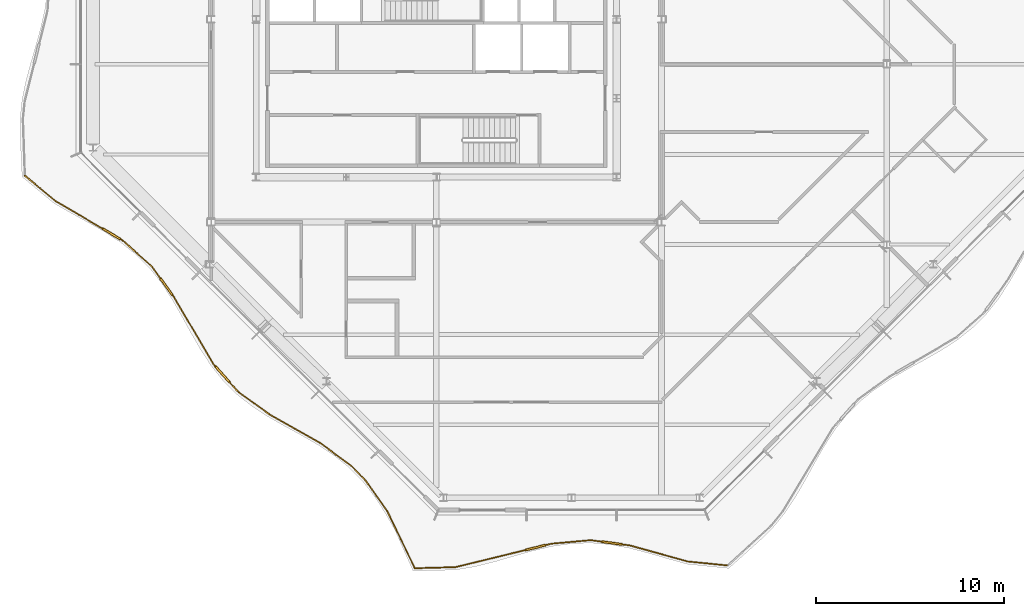
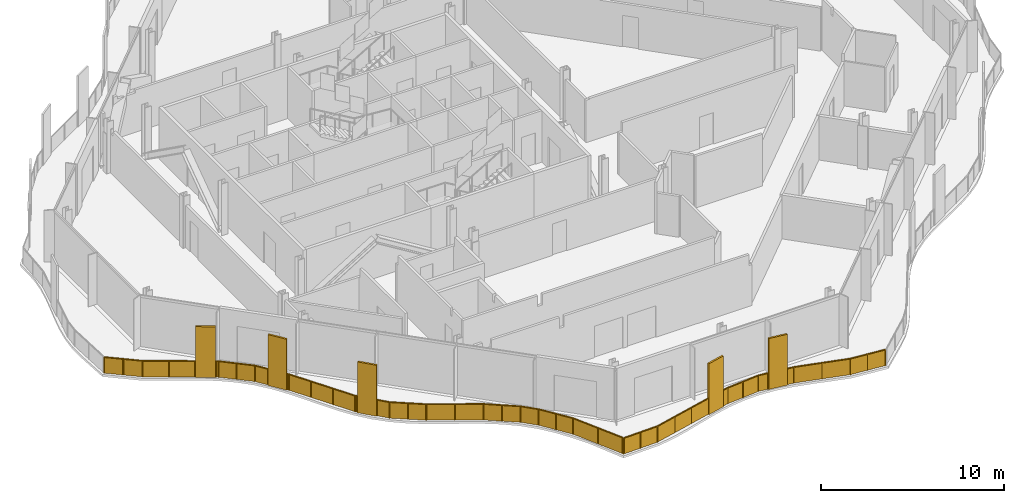
# One storey, part 12 of 16: 2 railings.
"""IFC4 building model written with IfcOpenShell, lengths in metres."""

from ifc_helpers import new_model, si_unit, direction, frame, origin, origin_2d, place, context, subcontext, project, spatial, polyline, rectangle, outline, extrude, material, type_object, element, save


model = new_model("IFC4")

# Units and contexts
model_context = context("Model", 3, precision=1e-05, world=origin(), true_north=direction((0.0, 1.0)))
body_context = subcontext(model_context, "Body", "Model", "MODEL_VIEW")
ifc_project = project(units=[si_unit("LENGTHUNIT", "METRE"), si_unit("AREAUNIT", "SQUARE_METRE"), si_unit("VOLUMEUNIT", "CUBIC_METRE"), si_unit("PLANEANGLEUNIT", "RADIAN"), si_unit("MASSUNIT", "GRAM", prefix="KILO")], contexts=[model_context])

# Site, building, storey
site_placement = place(None, origin())
site = spatial("IfcSite", under=ifc_project, at=site_placement, CompositionType="ELEMENT")
building_placement = place(site_placement, origin())
building = spatial("IfcBuilding", under=site, at=building_placement, Name="Cairn Pilgrim Tower", CompositionType="ELEMENT")
storey_placement = place(building_placement, frame((0.0, 0.0, 288.60009765625)))
storey = spatial("IfcBuildingStorey", under=building, at=storey_placement, Name="L74", CompositionType="ELEMENT", Elevation=288.60009765625)

# Railings
ifc_material = material(Name="Bronze anodised aluminium rail, posts and fin screens with laminated glass infill", Category="aluminium")
railing_type = type_object("IfcRailingType", Name="BALCONY GUARD WITH FIN SCREENS", PredefinedType="GUARDRAIL", material=ifc_material)
railing_1_placement = place(storey_placement, frame((6.050537109375, -26.847412109375, 0.0)))
element("IfcRailing", 1, at=railing_1_placement, inside=storey, type_object=railing_type, Name="Balcony guard BGF-1 with fin screens", PredefinedType="GUARDRAIL", context=body_context, shape_type="SweptSolid", body=[
    extrude(rectangle(XDim=0.050048828125, YDim=0.050048828125, at=origin_2d()), frame((0.0, 0.0, 1.0751953125), z_axis=(0.99964676047, 0.026577326475, 0.0), x_axis=(-0.026577326475, 0.99964676047, 0.0)), (0.0, 0.0, 1.0), 2.15869140625),
    extrude(rectangle(XDim=1.10009765625, YDim=0.110107421875, at=origin_2d()), frame((6.4365234375, 1.100830078125, 0.0), z_axis=(0.0, 0.0, 1.0), x_axis=(0.971524744658, 0.236938115376, 0.0)), (0.0, 0.0, 1.0), 3.39990234375),
    extrude(rectangle(XDim=0.050048828125, YDim=0.050048828125, at=origin_2d()), frame((2.157958984375, 0.057373046875, 1.0751953125), z_axis=(0.971524744658, 0.236938115376, 0.0), x_axis=(-0.236938115376, 0.971524744658, 0.0)), (0.0, 0.0, 1.0), 3.85400390625),
    extrude(rectangle(XDim=0.050048828125, YDim=0.050048828125, at=origin_2d()), frame((6.970947265625, 1.231201171875, 1.0751953125), z_axis=(0.971524744658, 0.236938115376, 0.0), x_axis=(-0.236938115376, 0.971524744658, 0.0)), (0.0, 0.0, 1.0), 0.3349609375),
    extrude(rectangle(XDim=0.050048828125, YDim=0.050048828125, at=origin_2d()), frame((7.29638671875, 1.310546875, 1.0751953125), z_axis=(0.996095236067, 0.088285223475, 0.0), x_axis=(-0.088285223475, 0.996095236067, 0.0)), (0.0, 0.0, 1.0), 2.09326171875),
    extrude(rectangle(XDim=1.10009765625, YDim=0.110107421875, at=origin_2d()), frame((10.51123046875, 1.342041015625, 0.0), z_axis=(0.0, 0.0, 1.0), x_axis=(0.990905606888, -0.134558828164, 0.0)), (0.0, 0.0, 1.0), 3.39990234375),
    extrude(rectangle(XDim=0.050048828125, YDim=0.050048828125, at=origin_2d()), frame((9.381591796875, 1.495361328125, 1.0751953125), z_axis=(0.990905606888, -0.134558828164, 0.0), x_axis=(0.134558828164, 0.990905606888, 0.0)), (0.0, 0.0, 1.0), 0.58984375),
    extrude(rectangle(XDim=0.050048828125, YDim=0.050048828125, at=origin_2d()), frame((11.05615234375, 1.26806640625, 1.0751953125), z_axis=(0.990905606888, -0.134558828164, 0.0), x_axis=(0.134558828164, 0.990905606888, 0.0)), (0.0, 0.0, 1.0), 0.412841796875),
    extrude(rectangle(XDim=0.050048828125, YDim=0.050048828125, at=origin_2d()), frame((11.46533203125, 1.21240234375, 1.0751953125), z_axis=(0.963892021314, -0.266293393172, 0.0), x_axis=(0.266293393172, 0.963892021314, 0.0)), (0.0, 0.0, 1.0), 3.19873046875),
    extrude(rectangle(XDim=0.050048828125, YDim=0.050048828125, at=origin_2d()), frame((14.548583984375, 0.360595703125, 1.0751953125), z_axis=(0.995001149631, -0.099863467957, 0.0), x_axis=(0.099863467957, 0.995001149631, 0.0)), (0.0, 0.0, 1.0), 2.0830078125),
    extrude(rectangle(XDim=0.050048828125, YDim=0.050048828125, at=origin_2d()), origin(), (0.0, 0.0, 1.0), 1.050048828125),
    extrude(rectangle(XDim=0.050048828125, YDim=0.050048828125, at=origin_2d()), frame((1.0791015625, 0.02880859375, 0.0)), (0.0, 0.0, 1.0), 1.050048828125),
    extrude(rectangle(XDim=0.050048828125, YDim=0.050048828125, at=origin_2d()), frame((2.157958984375, 0.057373046875, 0.0)), (0.0, 0.0, 1.0), 1.050048828125),
    extrude(rectangle(XDim=0.050048828125, YDim=0.050048828125, at=origin_2d()), frame((3.39794921875, 0.35986328125, 0.0)), (0.0, 0.0, 1.0), 1.050048828125),
    extrude(rectangle(XDim=0.050048828125, YDim=0.050048828125, at=origin_2d()), frame((4.637939453125, 0.662109375, 0.0)), (0.0, 0.0, 1.0), 1.050048828125),
    extrude(rectangle(XDim=0.050048828125, YDim=0.050048828125, at=origin_2d()), frame((5.8779296875, 0.964599609375, 0.0)), (0.0, 0.0, 1.0), 1.050048828125),
    extrude(rectangle(XDim=0.050048828125, YDim=0.050048828125, at=origin_2d()), frame((6.9951171875, 1.237060546875, 0.0)), (0.0, 0.0, 1.0), 1.050048828125),
    extrude(rectangle(XDim=0.050048828125, YDim=0.050048828125, at=origin_2d()), frame((7.29638671875, 1.310546875, 0.0)), (0.0, 0.0, 1.0), 1.050048828125),
    extrude(rectangle(XDim=0.050048828125, YDim=0.050048828125, at=origin_2d()), frame((8.3388671875, 1.40283203125, 0.0)), (0.0, 0.0, 1.0), 1.050048828125),
    extrude(rectangle(XDim=0.050048828125, YDim=0.050048828125, at=origin_2d()), frame((9.381591796875, 1.495361328125, 0.0)), (0.0, 0.0, 1.0), 1.050048828125),
    extrude(rectangle(XDim=0.050048828125, YDim=0.050048828125, at=origin_2d()), frame((9.94140625, 1.41943359375, 0.0)), (0.0, 0.0, 1.0), 1.050048828125),
    extrude(rectangle(XDim=0.050048828125, YDim=0.050048828125, at=origin_2d()), frame((11.0810546875, 1.2646484375, 0.0)), (0.0, 0.0, 1.0), 1.050048828125),
    extrude(rectangle(XDim=0.050048828125, YDim=0.050048828125, at=origin_2d()), frame((11.46533203125, 1.21240234375, 0.0)), (0.0, 0.0, 1.0), 1.050048828125),
    extrude(rectangle(XDim=0.050048828125, YDim=0.050048828125, at=origin_2d()), frame((13.0068359375, 0.78662109375, 0.0)), (0.0, 0.0, 1.0), 1.050048828125),
    extrude(rectangle(XDim=0.050048828125, YDim=0.050048828125, at=origin_2d()), frame((14.548583984375, 0.360595703125, 0.0)), (0.0, 0.0, 1.0), 1.050048828125),
    extrude(rectangle(XDim=0.050048828125, YDim=0.050048828125, at=origin_2d()), frame((15.5849609375, 0.256591796875, 0.0)), (0.0, 0.0, 1.0), 1.050048828125),
    extrude(rectangle(XDim=0.050048828125, YDim=0.050048828125, at=origin_2d()), frame((16.62109375, 0.152587890625, 0.0)), (0.0, 0.0, 1.0), 1.050048828125),
    extrude(outline(polyline([(0.02490234375, 0.0), (1.054443359375, 0.0), (1.054443359375, 1.050048828125), (0.02490234375, 1.050048828125), (0.02490234375, 0.0)])), frame((-0.000244140625, 0.005859375, 0.0), z_axis=(0.026577326475, -0.99964676047, 0.0), x_axis=(0.99964676047, 0.026577326475, 0.0)), (0.0, 0.0, 1.0), 0.011962890625),
    extrude(outline(polyline([(0.02490234375, 0.0), (1.054443359375, 0.0), (1.054443359375, 1.050048828125), (0.02490234375, 1.050048828125), (0.02490234375, 0.0)])), frame((1.078857421875, 0.03466796875, 0.0), z_axis=(0.026577326475, -0.99964676047, 0.0), x_axis=(0.99964676047, 0.026577326475, 0.0)), (0.0, 0.0, 1.0), 0.011962890625),
    extrude(outline(polyline([(0.02490234375, 0.0), (1.251220703125, 0.0), (1.251220703125, 1.050048828125), (0.02490234375, 1.050048828125), (0.02490234375, 0.0)])), frame((2.156494140625, 0.063232421875, 0.0), z_axis=(0.236938115376, -0.971524744658, 0.0), x_axis=(0.971524744658, 0.236938115376, 0.0)), (0.0, 0.0, 1.0), 0.011962890625),
    extrude(outline(polyline([(0.02490234375, 0.0), (1.251220703125, 0.0), (1.251220703125, 1.050048828125), (0.02490234375, 1.050048828125), (0.02490234375, 0.0)])), frame((3.396484375, 0.365478515625, 0.0), z_axis=(0.236938115376, -0.971524744658, 0.0), x_axis=(0.971524744658, 0.236938115376, 0.0)), (0.0, 0.0, 1.0), 0.011962890625),
    extrude(outline(polyline([(0.02490234375, 0.0), (1.251220703125, 0.0), (1.251220703125, 1.050048828125), (0.02490234375, 1.050048828125), (0.02490234375, 0.0)])), frame((4.636474609375, 0.66796875, 0.0), z_axis=(0.236938115376, -0.971524744658, 0.0), x_axis=(0.971524744658, 0.236938115376, 0.0)), (0.0, 0.0, 1.0), 0.011962890625),
    extrude(outline(polyline([(0.02490234375, 0.0), (0.284912109375, 0.0), (0.284912109375, 1.050048828125), (0.02490234375, 1.050048828125), (0.02490234375, 0.0)])), frame((6.99365234375, 1.242919921875, 0.0), z_axis=(0.236938115376, -0.971524744658, 0.0), x_axis=(0.971524744658, 0.236938115376, 0.0)), (0.0, 0.0, 1.0), 0.011962890625),
    extrude(outline(polyline([(0.02490234375, 0.0), (1.021728515625, 0.0), (1.021728515625, 1.050048828125), (0.02490234375, 1.050048828125), (0.02490234375, 0.0)])), frame((7.2958984375, 1.31640625, 0.0), z_axis=(0.088285223475, -0.996095236067, 0.0), x_axis=(0.996095236067, 0.088285223475, 0.0)), (0.0, 0.0, 1.0), 0.011962890625),
    extrude(outline(polyline([(0.02490234375, 0.0), (1.021728515625, 0.0), (1.021728515625, 1.050048828125), (0.02490234375, 1.050048828125), (0.02490234375, 0.0)])), frame((8.33837890625, 1.408935546875, 0.0), z_axis=(0.088285223475, -0.996095236067, 0.0), x_axis=(0.996095236067, 0.088285223475, 0.0)), (0.0, 0.0, 1.0), 0.011962890625),
    extrude(outline(polyline([(0.02490234375, 0.0), (0.539794921875, 0.0), (0.539794921875, 1.050048828125), (0.02490234375, 1.050048828125), (0.02490234375, 0.0)])), frame((9.38232421875, 1.501220703125, 0.0), z_axis=(-0.134558828164, -0.990905606888, 0.0), x_axis=(0.990905606888, -0.134558828164, 0.0)), (0.0, 0.0, 1.0), 0.011962890625),
    extrude(outline(polyline([(0.02490234375, 0.0), (0.36279296875, 0.0), (0.36279296875, 1.050048828125), (0.02490234375, 1.050048828125), (0.02490234375, 0.0)])), frame((11.081787109375, 1.2705078125, 0.0), z_axis=(-0.134558828164, -0.990905606888, 0.0), x_axis=(0.990905606888, -0.134558828164, 0.0)), (0.0, 0.0, 1.0), 0.011962890625),
    extrude(outline(polyline([(0.02490234375, 0.0), (1.574462890625, 0.0), (1.574462890625, 1.050048828125), (0.02490234375, 1.050048828125), (0.02490234375, 0.0)])), frame((11.467041015625, 1.21826171875, 0.0), z_axis=(-0.266293393172, -0.963892021314, 0.0), x_axis=(0.963892021314, -0.266293393172, 0.0)), (0.0, 0.0, 1.0), 0.011962890625),
    extrude(outline(polyline([(0.02490234375, 0.0), (1.574462890625, 0.0), (1.574462890625, 1.050048828125), (0.02490234375, 1.050048828125), (0.02490234375, 0.0)])), frame((13.008544921875, 0.792236328125, 0.0), z_axis=(-0.266293393172, -0.963892021314, 0.0), x_axis=(0.963892021314, -0.266293393172, 0.0)), (0.0, 0.0, 1.0), 0.011962890625),
    extrude(outline(polyline([(0.02490234375, 0.0), (1.016357421875, 0.0), (1.016357421875, 1.050048828125), (0.02490234375, 1.050048828125), (0.02490234375, 0.0)])), frame((14.549072265625, 0.366455078125, 0.0), z_axis=(-0.099863467957, -0.995001149631, 0.0), x_axis=(0.995001149631, -0.099863467957, 0.0)), (0.0, 0.0, 1.0), 0.011962890625),
    extrude(outline(polyline([(0.02490234375, 0.0), (1.016357421875, 0.0), (1.016357421875, 1.050048828125), (0.02490234375, 1.050048828125), (0.02490234375, 0.0)])), frame((15.58544921875, 0.262451171875, 0.0), z_axis=(-0.099863467957, -0.995001149631, 0.0), x_axis=(0.995001149631, -0.099863467957, 0.0)), (0.0, 0.0, 1.0), 0.011962890625),
])
railing_2_placement = place(storey_placement, frame((-14.732666015625, -5.920654296875, 0.0)))
element("IfcRailing", 2, at=railing_2_placement, inside=storey, type_object=railing_type, Name="Balcony guard BGF-8 with fin screens", PredefinedType="GUARDRAIL", context=body_context, shape_type="SweptSolid", body=[
    extrude(rectangle(XDim=0.050048828125, YDim=0.050048828125, at=origin_2d()), frame((0.0, 0.0, 1.0751953125), z_axis=(0.769657615811, -0.638456854004, 0.0), x_axis=(0.638456854004, 0.769657615811, 0.0)), (0.0, 0.0, 1.0), 2.128662109375),
    extrude(rectangle(XDim=1.10009765625, YDim=0.110107421875, at=origin_2d()), frame((4.621826171875, -3.1103515625, 0.0), z_axis=(0.0, 0.0, 1.0), x_axis=(0.862404642163, -0.506219550369, 0.0)), (0.0, 0.0, 1.0), 3.39990234375),
    extrude(rectangle(XDim=0.050048828125, YDim=0.050048828125, at=origin_2d()), frame((1.638427734375, -1.359130859375, 1.0751953125), z_axis=(0.862404642163, -0.506219550369, 0.0), x_axis=(0.506219550369, 0.862404642163, 0.0)), (0.0, 0.0, 1.0), 2.909423828125),
    extrude(rectangle(XDim=0.050048828125, YDim=0.050048828125, at=origin_2d()), frame((5.09619140625, -3.388671875, 1.0751953125), z_axis=(0.862404642163, -0.506219550369, 0.0), x_axis=(0.506219550369, 0.862404642163, 0.0)), (0.0, 0.0, 1.0), 0.14990234375),
    extrude(rectangle(XDim=0.050048828125, YDim=0.050048828125, at=origin_2d()), frame((5.225341796875, -3.464599609375, 1.0751953125), z_axis=(0.746064687265, -0.665873473279, 0.0), x_axis=(0.665873473279, 0.746064687265, 0.0)), (0.0, 0.0, 1.0), 2.0458984375),
    extrude(rectangle(XDim=1.10009765625, YDim=0.110107421875, at=origin_2d()), frame((7.549560546875, -5.928466796875, 0.0), z_axis=(0.0, 0.0, 1.0), x_axis=(0.586662617437, -0.809831447464, 0.0)), (0.0, 0.0, 1.0), 3.39990234375),
    extrude(rectangle(XDim=0.050048828125, YDim=0.050048828125, at=origin_2d()), frame((6.751708984375, -4.826904296875, 1.0751953125), z_axis=(0.586662617437, -0.809831447464, 0.0), x_axis=(0.809831447464, 0.586662617437, 0.0)), (0.0, 0.0, 1.0), 0.81005859375),
    extrude(rectangle(XDim=0.050048828125, YDim=0.050048828125, at=origin_2d()), frame((7.872314453125, -6.373779296875, 1.0751953125), z_axis=(0.586662617437, -0.809831447464, 0.0), x_axis=(0.809831447464, 0.586662617437, 0.0)), (0.0, 0.0, 1.0), 0.14990234375),
    extrude(rectangle(XDim=0.050048828125, YDim=0.050048828125, at=origin_2d()), frame((7.960205078125, -6.4951171875, 1.0751953125), z_axis=(0.506971251307, -0.861962963443, 0.0), x_axis=(0.861962963443, 0.506971251307, 0.0)), (0.0, 0.0, 1.0), 4.147705078125),
    extrude(rectangle(XDim=1.10009765625, YDim=0.110107421875, at=origin_2d()), frame((10.53173828125, -10.59033203125, 0.0), z_axis=(0.0, 0.0, 1.0), x_axis=(0.669590357425, -0.742730606103, 0.0)), (0.0, 0.0, 1.0), 3.39990234375),
    extrude(rectangle(XDim=0.050048828125, YDim=0.050048828125, at=origin_2d()), frame((10.06298828125, -10.0703125, 1.0751953125), z_axis=(0.669590357425, -0.742730606103, 0.0), x_axis=(0.742730606103, 0.669590357425, 0.0)), (0.0, 0.0, 1.0), 0.150146484375),
    extrude(rectangle(XDim=0.050048828125, YDim=0.050048828125, at=origin_2d()), frame((10.89990234375, -10.998779296875, 1.0751953125), z_axis=(0.669590357425, -0.742730606103, 0.0), x_axis=(0.742730606103, 0.669590357425, 0.0)), (0.0, 0.0, 1.0), 0.732666015625),
    extrude(rectangle(XDim=0.050048828125, YDim=0.050048828125, at=origin_2d()), frame((11.390625, -11.54296875, 1.0751953125), z_axis=(0.812223584103, -0.583346251747, 0.0), x_axis=(0.583346251747, 0.812223584103, 0.0)), (0.0, 0.0, 1.0), 2.013916015625),
    extrude(rectangle(XDim=0.050048828125, YDim=0.050048828125, at=origin_2d()), frame((13.0263671875, -12.7177734375, 1.0751953125), z_axis=(0.870436497443, -0.492280716582, 0.0), x_axis=(0.492280716582, 0.870436497443, 0.0)), (0.0, 0.0, 1.0), 3.1318359375),
    extrude(rectangle(XDim=0.050048828125, YDim=0.050048828125, at=origin_2d()), frame((15.75244140625, -14.259521484375, 1.0751953125), z_axis=(0.805425872016, -0.592696519888, 0.0), x_axis=(0.592696519888, 0.805425872016, 0.0)), (0.0, 0.0, 1.0), 2.055419921875),
    extrude(rectangle(XDim=0.050048828125, YDim=0.050048828125, at=origin_2d()), frame((17.407958984375, -15.477783203125, 1.0751953125), z_axis=(0.700078521707, -0.714065867721, 0.0), x_axis=(0.714065867721, 0.700078521707, 0.0)), (0.0, 0.0, 1.0), 1.02978515625),
    extrude(rectangle(XDim=0.050048828125, YDim=0.050048828125, at=origin_2d()), frame((18.12890625, -16.213134765625, 1.0751953125), z_axis=(0.580040389042, -0.814587716014, 0.0), x_axis=(0.814587716014, 0.580040389042, 0.0)), (0.0, 0.0, 1.0), 2.064208984375),
    extrude(rectangle(XDim=0.050048828125, YDim=0.050048828125, at=origin_2d()), frame((19.326171875, -17.89453125, 1.0751953125), z_axis=(0.433060125743, -0.901365035649, 0.0), x_axis=(0.901365035649, 0.433060125743, 0.0)), (0.0, 0.0, 1.0), 3.30419921875),
    extrude(rectangle(XDim=0.050048828125, YDim=0.050048828125, at=origin_2d()), origin(), (0.0, 0.0, 1.0), 1.050048828125),
    extrude(rectangle(XDim=0.050048828125, YDim=0.050048828125, at=origin_2d()), frame((0.8193359375, -0.6796875, 0.0)), (0.0, 0.0, 1.0), 1.050048828125),
    extrude(rectangle(XDim=0.050048828125, YDim=0.050048828125, at=origin_2d()), frame((1.638427734375, -1.359130859375, 0.0)), (0.0, 0.0, 1.0), 1.050048828125),
    extrude(rectangle(XDim=0.050048828125, YDim=0.050048828125, at=origin_2d()), frame((2.882080078125, -2.089111328125, 0.0)), (0.0, 0.0, 1.0), 1.050048828125),
    extrude(rectangle(XDim=0.050048828125, YDim=0.050048828125, at=origin_2d()), frame((4.1259765625, -2.8193359375, 0.0)), (0.0, 0.0, 1.0), 1.050048828125),
    extrude(rectangle(XDim=0.050048828125, YDim=0.050048828125, at=origin_2d()), frame((5.11767578125, -3.4013671875, 0.0)), (0.0, 0.0, 1.0), 1.050048828125),
    extrude(rectangle(XDim=0.050048828125, YDim=0.050048828125, at=origin_2d()), frame((5.225341796875, -3.464599609375, 0.0)), (0.0, 0.0, 1.0), 1.050048828125),
    extrude(rectangle(XDim=0.050048828125, YDim=0.050048828125, at=origin_2d()), frame((5.988525390625, -4.145751953125, 0.0)), (0.0, 0.0, 1.0), 1.050048828125),
    extrude(rectangle(XDim=0.050048828125, YDim=0.050048828125, at=origin_2d()), frame((6.751708984375, -4.826904296875, 0.0)), (0.0, 0.0, 1.0), 1.050048828125),
    extrude(rectangle(XDim=0.050048828125, YDim=0.050048828125, at=origin_2d()), frame((7.21240234375, -5.462646484375, 0.0)), (0.0, 0.0, 1.0), 1.050048828125),
    extrude(rectangle(XDim=0.050048828125, YDim=0.050048828125, at=origin_2d()), frame((7.886962890625, -6.39404296875, 0.0)), (0.0, 0.0, 1.0), 1.050048828125),
    extrude(rectangle(XDim=0.050048828125, YDim=0.050048828125, at=origin_2d()), frame((7.960205078125, -6.4951171875, 0.0)), (0.0, 0.0, 1.0), 1.050048828125),
    extrude(rectangle(XDim=0.050048828125, YDim=0.050048828125, at=origin_2d()), frame((8.6611328125, -7.686767578125, 0.0)), (0.0, 0.0, 1.0), 1.050048828125),
    extrude(rectangle(XDim=0.050048828125, YDim=0.050048828125, at=origin_2d()), frame((9.362060546875, -8.878662109375, 0.0)), (0.0, 0.0, 1.0), 1.050048828125),
    extrude(rectangle(XDim=0.050048828125, YDim=0.050048828125, at=origin_2d()), frame((10.06298828125, -10.0703125, 0.0)), (0.0, 0.0, 1.0), 1.050048828125),
    extrude(rectangle(XDim=0.050048828125, YDim=0.050048828125, at=origin_2d()), frame((10.146728515625, -10.1630859375, 0.0)), (0.0, 0.0, 1.0), 1.050048828125),
    extrude(rectangle(XDim=0.050048828125, YDim=0.050048828125, at=origin_2d()), frame((10.916748046875, -11.017333984375, 0.0)), (0.0, 0.0, 1.0), 1.050048828125),
    extrude(rectangle(XDim=0.050048828125, YDim=0.050048828125, at=origin_2d()), frame((11.390625, -11.54296875, 0.0)), (0.0, 0.0, 1.0), 1.050048828125),
    extrude(rectangle(XDim=0.050048828125, YDim=0.050048828125, at=origin_2d()), frame((12.20849609375, -12.13037109375, 0.0)), (0.0, 0.0, 1.0), 1.050048828125),
    extrude(rectangle(XDim=0.050048828125, YDim=0.050048828125, at=origin_2d()), frame((13.0263671875, -12.7177734375, 0.0)), (0.0, 0.0, 1.0), 1.050048828125),
    extrude(rectangle(XDim=0.050048828125, YDim=0.050048828125, at=origin_2d()), frame((14.389404296875, -13.48876953125, 0.0)), (0.0, 0.0, 1.0), 1.050048828125),
    extrude(rectangle(XDim=0.050048828125, YDim=0.050048828125, at=origin_2d()), frame((15.75244140625, -14.259521484375, 0.0)), (0.0, 0.0, 1.0), 1.050048828125),
    extrude(rectangle(XDim=0.050048828125, YDim=0.050048828125, at=origin_2d()), frame((16.580078125, -14.86865234375, 0.0)), (0.0, 0.0, 1.0), 1.050048828125),
    extrude(rectangle(XDim=0.050048828125, YDim=0.050048828125, at=origin_2d()), frame((17.407958984375, -15.477783203125, 0.0)), (0.0, 0.0, 1.0), 1.050048828125),
    extrude(rectangle(XDim=0.050048828125, YDim=0.050048828125, at=origin_2d()), frame((18.12890625, -16.213134765625, 0.0)), (0.0, 0.0, 1.0), 1.050048828125),
    extrude(rectangle(XDim=0.050048828125, YDim=0.050048828125, at=origin_2d()), frame((18.7275390625, -17.0537109375, 0.0)), (0.0, 0.0, 1.0), 1.050048828125),
    extrude(rectangle(XDim=0.050048828125, YDim=0.050048828125, at=origin_2d()), frame((19.326171875, -17.89453125, 0.0)), (0.0, 0.0, 1.0), 1.050048828125),
    extrude(rectangle(XDim=0.050048828125, YDim=0.050048828125, at=origin_2d()), frame((20.04150390625, -19.3837890625, 0.0)), (0.0, 0.0, 1.0), 1.050048828125),
    extrude(rectangle(XDim=0.050048828125, YDim=0.050048828125, at=origin_2d()), frame((20.757080078125, -20.872802734375, 0.0)), (0.0, 0.0, 1.0), 1.050048828125),
    extrude(outline(polyline([(0.02490234375, 0.0), (1.039306640625, 0.0), (1.039306640625, 1.050048828125), (0.02490234375, 1.050048828125), (0.02490234375, 0.0)])), frame((0.00390625, 0.004638671875, 0.0), z_axis=(-0.638456854004, -0.769657615811, 0.0), x_axis=(0.769657615811, -0.638456854004, 0.0)), (0.0, 0.0, 1.0), 0.011962890625),
    extrude(outline(polyline([(0.02490234375, 0.0), (1.039306640625, 0.0), (1.039306640625, 1.050048828125), (0.02490234375, 1.050048828125), (0.02490234375, 0.0)])), frame((0.822998046875, -0.675048828125, 0.0), z_axis=(-0.638456854004, -0.769657615811, 0.0), x_axis=(0.769657615811, -0.638456854004, 0.0)), (0.0, 0.0, 1.0), 0.011962890625),
    extrude(outline(polyline([(0.02490234375, 0.0), (1.417236328125, 0.0), (1.417236328125, 1.050048828125), (0.02490234375, 1.050048828125), (0.02490234375, 0.0)])), frame((1.641357421875, -1.35400390625, 0.0), z_axis=(-0.506219550369, -0.862404642163, 0.0), x_axis=(0.862404642163, -0.506219550369, 0.0)), (0.0, 0.0, 1.0), 0.011962890625),
    extrude(outline(polyline([(0.02490234375, 0.0), (1.417236328125, 0.0), (1.417236328125, 1.050048828125), (0.02490234375, 1.050048828125), (0.02490234375, 0.0)])), frame((2.88525390625, -2.083984375, 0.0), z_axis=(-0.506219550369, -0.862404642163, 0.0), x_axis=(0.862404642163, -0.506219550369, 0.0)), (0.0, 0.0, 1.0), 0.011962890625),
    extrude(outline(polyline([(0.02490234375, 0.0), (0.099853515625, 0.0), (0.099853515625, 1.050048828125), (0.02490234375, 1.050048828125), (0.02490234375, 0.0)])), frame((5.12060546875, -3.396240234375, 0.0), z_axis=(-0.506219550369, -0.862404642163, 0.0), x_axis=(0.862404642163, -0.506219550369, 0.0)), (0.0, 0.0, 1.0), 0.011962890625),
    extrude(outline(polyline([(0.02490234375, 0.0), (0.997802734375, 0.0), (0.997802734375, 1.050048828125), (0.02490234375, 1.050048828125), (0.02490234375, 0.0)])), frame((5.229248046875, -3.460205078125, 0.0), z_axis=(-0.665873473279, -0.746064687265, 0.0), x_axis=(0.746064687265, -0.665873473279, 0.0)), (0.0, 0.0, 1.0), 0.011962890625),
    extrude(outline(polyline([(0.02490234375, 0.0), (0.997802734375, 0.0), (0.997802734375, 1.050048828125), (0.02490234375, 1.050048828125), (0.02490234375, 0.0)])), frame((5.992431640625, -4.141357421875, 0.0), z_axis=(-0.665873473279, -0.746064687265, 0.0), x_axis=(0.746064687265, -0.665873473279, 0.0)), (0.0, 0.0, 1.0), 0.011962890625),
    extrude(outline(polyline([(0.02490234375, 0.0), (0.760009765625, 0.0), (0.760009765625, 1.050048828125), (0.02490234375, 1.050048828125), (0.02490234375, 0.0)])), frame((6.756591796875, -4.823486328125, 0.0), z_axis=(-0.809831447464, -0.586662617437, 0.0), x_axis=(0.586662617437, -0.809831447464, 0.0)), (0.0, 0.0, 1.0), 0.011962890625),
    extrude(outline(polyline([(0.02490234375, 0.0), (0.099853515625, 0.0), (0.099853515625, 1.050048828125), (0.02490234375, 1.050048828125), (0.02490234375, 0.0)])), frame((7.891845703125, -6.390625, 0.0), z_axis=(-0.809831447464, -0.586662617437, 0.0), x_axis=(0.586662617437, -0.809831447464, 0.0)), (0.0, 0.0, 1.0), 0.011962890625),
    extrude(outline(polyline([(0.02490234375, 0.0), (1.357666015625, 0.0), (1.357666015625, 1.050048828125), (0.02490234375, 1.050048828125), (0.02490234375, 0.0)])), frame((7.96533203125, -6.4921875, 0.0), z_axis=(-0.861962963443, -0.506971251307, 0.0), x_axis=(0.506971251307, -0.861962963443, 0.0)), (0.0, 0.0, 1.0), 0.011962890625),
    extrude(outline(polyline([(0.02490234375, 0.0), (1.357666015625, 0.0), (1.357666015625, 1.050048828125), (0.02490234375, 1.050048828125), (0.02490234375, 0.0)])), frame((8.666259765625, -7.683837890625, 0.0), z_axis=(-0.861962963443, -0.506971251307, 0.0), x_axis=(0.506971251307, -0.861962963443, 0.0)), (0.0, 0.0, 1.0), 0.011962890625),
    extrude(outline(polyline([(0.02490234375, 0.0), (1.357666015625, 0.0), (1.357666015625, 1.050048828125), (0.02490234375, 1.050048828125), (0.02490234375, 0.0)])), frame((9.3671875, -8.87548828125, 0.0), z_axis=(-0.861962963443, -0.506971251307, 0.0), x_axis=(0.506971251307, -0.861962963443, 0.0)), (0.0, 0.0, 1.0), 0.011962890625),
    extrude(outline(polyline([(0.02490234375, 0.0), (0.10009765625, 0.0), (0.10009765625, 1.050048828125), (0.02490234375, 1.050048828125), (0.02490234375, 0.0)])), frame((10.0673828125, -10.06640625, 0.0), z_axis=(-0.742730606103, -0.669590357425, 0.0), x_axis=(0.669590357425, -0.742730606103, 0.0)), (0.0, 0.0, 1.0), 0.011962890625),
    extrude(outline(polyline([(0.02490234375, 0.0), (0.6826171875, 0.0), (0.6826171875, 1.050048828125), (0.02490234375, 1.050048828125), (0.02490234375, 0.0)])), frame((10.921142578125, -11.013427734375, 0.0), z_axis=(-0.742730606103, -0.669590357425, 0.0), x_axis=(0.669590357425, -0.742730606103, 0.0)), (0.0, 0.0, 1.0), 0.011962890625),
    extrude(outline(polyline([(0.02490234375, 0.0), (0.98193359375, 0.0), (0.98193359375, 1.050048828125), (0.02490234375, 1.050048828125), (0.02490234375, 0.0)])), frame((11.39404296875, -11.5380859375, 0.0), z_axis=(-0.583346251747, -0.812223584103, 0.0), x_axis=(0.812223584103, -0.583346251747, 0.0)), (0.0, 0.0, 1.0), 0.011962890625),
    extrude(outline(polyline([(0.02490234375, 0.0), (0.98193359375, 0.0), (0.98193359375, 1.050048828125), (0.02490234375, 1.050048828125), (0.02490234375, 0.0)])), frame((12.2119140625, -12.12548828125, 0.0), z_axis=(-0.583346251747, -0.812223584103, 0.0), x_axis=(0.812223584103, -0.583346251747, 0.0)), (0.0, 0.0, 1.0), 0.011962890625),
    extrude(outline(polyline([(0.02490234375, 0.0), (1.541015625, 0.0), (1.541015625, 1.050048828125), (0.02490234375, 1.050048828125), (0.02490234375, 0.0)])), frame((13.029296875, -12.712646484375, 0.0), z_axis=(-0.492280716582, -0.870436497443, 0.0), x_axis=(0.870436497443, -0.492280716582, 0.0)), (0.0, 0.0, 1.0), 0.011962890625),
    extrude(outline(polyline([(0.02490234375, 0.0), (1.541015625, 0.0), (1.541015625, 1.050048828125), (0.02490234375, 1.050048828125), (0.02490234375, 0.0)])), frame((14.392333984375, -13.4833984375, 0.0), z_axis=(-0.492280716582, -0.870436497443, 0.0), x_axis=(0.870436497443, -0.492280716582, 0.0)), (0.0, 0.0, 1.0), 0.011962890625),
    extrude(outline(polyline([(0.02490234375, 0.0), (1.002685546875, 0.0), (1.002685546875, 1.050048828125), (0.02490234375, 1.050048828125), (0.02490234375, 0.0)])), frame((15.756103515625, -14.254638671875, 0.0), z_axis=(-0.592696519888, -0.805425872016, 0.0), x_axis=(0.805425872016, -0.592696519888, 0.0)), (0.0, 0.0, 1.0), 0.011962890625),
    extrude(outline(polyline([(0.02490234375, 0.0), (1.002685546875, 0.0), (1.002685546875, 1.050048828125), (0.02490234375, 1.050048828125), (0.02490234375, 0.0)])), frame((16.583740234375, -14.86376953125, 0.0), z_axis=(-0.592696519888, -0.805425872016, 0.0), x_axis=(0.805425872016, -0.592696519888, 0.0)), (0.0, 0.0, 1.0), 0.011962890625),
    extrude(outline(polyline([(0.02490234375, 0.0), (1.0048828125, 0.0), (1.0048828125, 1.050048828125), (0.02490234375, 1.050048828125), (0.02490234375, 0.0)])), frame((17.412109375, -15.4736328125, 0.0), z_axis=(-0.714065867721, -0.700078521707, 0.0), x_axis=(0.700078521707, -0.714065867721, 0.0)), (0.0, 0.0, 1.0), 0.011962890625),
    extrude(outline(polyline([(0.02490234375, 0.0), (1.007080078125, 0.0), (1.007080078125, 1.050048828125), (0.02490234375, 1.050048828125), (0.02490234375, 0.0)])), frame((18.1337890625, -16.209716796875, 0.0), z_axis=(-0.814587716014, -0.580040389042, 0.0), x_axis=(0.580040389042, -0.814587716014, 0.0)), (0.0, 0.0, 1.0), 0.011962890625),
    extrude(outline(polyline([(0.02490234375, 0.0), (1.007080078125, 0.0), (1.007080078125, 1.050048828125), (0.02490234375, 1.050048828125), (0.02490234375, 0.0)])), frame((18.732421875, -17.05029296875, 0.0), z_axis=(-0.814587716014, -0.580040389042, 0.0), x_axis=(0.580040389042, -0.814587716014, 0.0)), (0.0, 0.0, 1.0), 0.011962890625),
    extrude(outline(polyline([(0.02490234375, 0.0), (1.626953125, 0.0), (1.626953125, 1.050048828125), (0.02490234375, 1.050048828125), (0.02490234375, 0.0)])), frame((19.33154296875, -17.891845703125, 0.0), z_axis=(-0.901365035649, -0.433060125743, 0.0), x_axis=(0.433060125743, -0.901365035649, 0.0)), (0.0, 0.0, 1.0), 0.011962890625),
    extrude(outline(polyline([(0.02490234375, 0.0), (1.626953125, 0.0), (1.626953125, 1.050048828125), (0.02490234375, 1.050048828125), (0.02490234375, 0.0)])), frame((20.047119140625, -19.381103515625, 0.0), z_axis=(-0.901365035649, -0.433060125743, 0.0), x_axis=(0.433060125743, -0.901365035649, 0.0)), (0.0, 0.0, 1.0), 0.011962890625),
])

save(model, "model.ifc")
